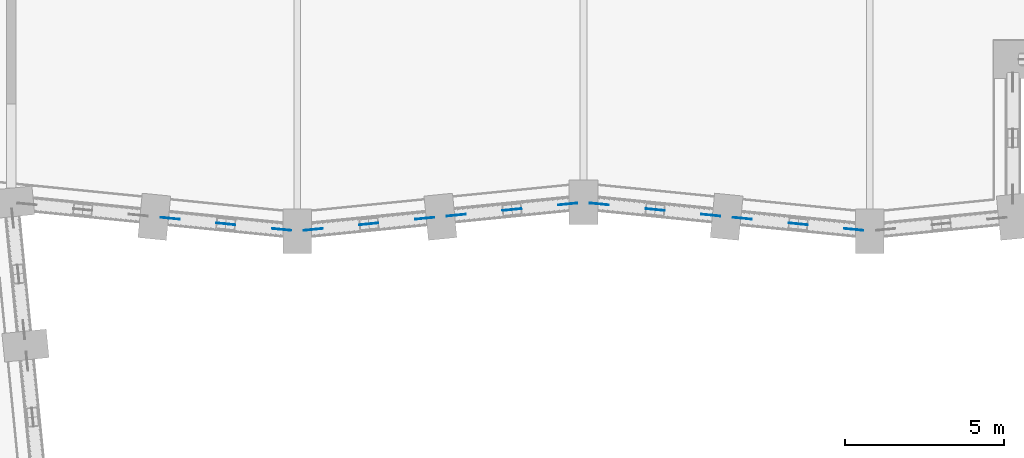
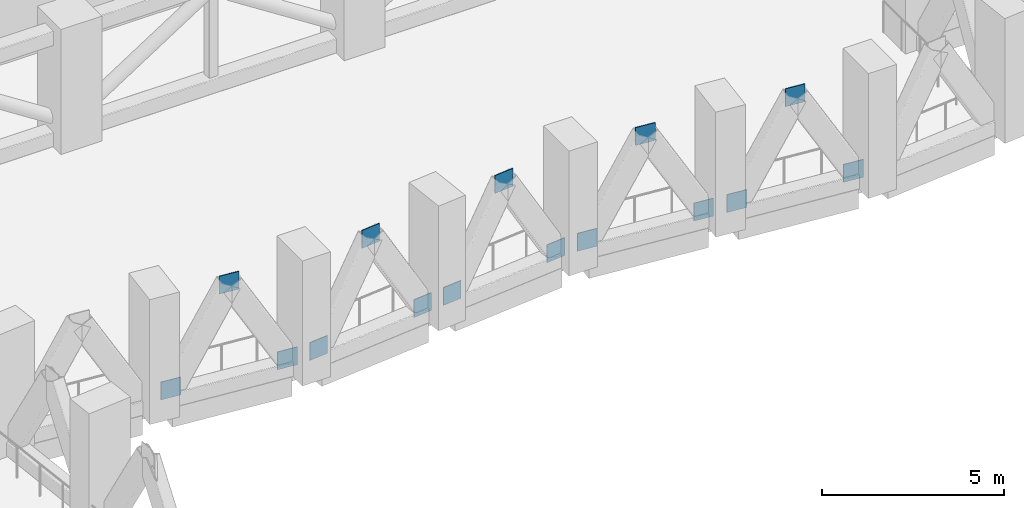
# One storey, part 19 of 25: 15 discrete accessories.
"""IFC4 building model written with IfcOpenShell, lengths in metres."""

from ifc_helpers import new_model, si_unit, direction, frame, origin, origin_2d, place, context, subcontext, project, spatial, rectangle, extrude, material, layer, layer_set, type_object, element, save


model = new_model("IFC4")

# Units and contexts
model_context = context("Model", 3, precision=1e-05, world=origin(), true_north=direction((0.0, 1.0)))
body_context = subcontext(model_context, "Body", "Model", "MODEL_VIEW")
ifc_project = project(units=[si_unit("LENGTHUNIT", "METRE"), si_unit("AREAUNIT", "SQUARE_METRE"), si_unit("VOLUMEUNIT", "CUBIC_METRE"), si_unit("PLANEANGLEUNIT", "RADIAN"), si_unit("MASSUNIT", "GRAM", prefix="KILO")], contexts=[model_context])

# Site, building, storey
site_placement = place(None, origin())
site = spatial("IfcSite", under=ifc_project, at=site_placement, CompositionType="ELEMENT")
building_placement = place(site_placement, origin())
building = spatial("IfcBuilding", under=site, at=building_placement, Name="Brondeck Convention Tower", CompositionType="ELEMENT")
storey_placement = place(building_placement, frame((0.0, 0.0, 84.300048828125)))
storey = spatial("IfcBuildingStorey", under=building, at=storey_placement, Name="L19", CompositionType="ELEMENT", Elevation=84.300048828125)

# Discrete accessories
ifc_material = material(Name="Steel S460", Category="steel")
ifc_layer = layer(ifc_material, 0.02490234375)
ifc_layer_set = layer_set([ifc_layer], Name="Gusset plate 600x600x25 Steel S460")
discrete_accessory_type = type_object("IfcDiscreteAccessoryType", Name="Gusset plate 600x600x25 Steel S460", PredefinedType="BRACKET", material=ifc_layer_set)
for number, where, z_axis, x_axis, name in (
    (1, (40.997802734375, 26.500244140625, 0.199951171875), (0.0, 0.0, 1.0), (-0.9950364836, 0.099510784867, 0.0), "Gusset plate GP-176"),
    (2, (42.75, 26.324951171875, 3.25), (0.0, 0.0, 1.0), (-0.9950364836, 0.099510784867, 0.0), "Gusset plate GP-177"),
    (3, (44.502197265625, 26.14990234375, 0.199951171875), (0.0, 0.0, 1.0), (-0.9950364836, 0.099510784867, 0.0), "Gusset plate GP-178"),
    (4, (45.497802734375, 26.14990234375, 0.199951171875), (0.0, 0.0, 1.0), (0.9950364836, 0.099510784867, 0.0), "Gusset plate GP-179"),
    (5, (47.25, 26.324951171875, 3.25), (0.0, 0.0, 1.0), (0.9950364836, 0.099510784867, 0.0), "Gusset plate GP-180"),
    (6, (49.002197265625, 26.500244140625, 0.199951171875), (0.0, 0.0, 1.0), (0.9950364836, 0.099510784867, 0.0), "Gusset plate GP-181"),
    (7, (49.997802734375, 26.599853515625, 0.199951171875), (0.0, 0.0, 1.0), (0.9950364836, 0.099510784867, 0.0), "Gusset plate GP-182"),
    (8, (51.75, 26.77490234375, 3.25), (0.0, 0.0, 1.0), (0.9950364836, 0.099510784867, 0.0), "Gusset plate GP-183"),
    (9, (53.502197265625, 26.9501953125, 0.199951171875), (0.0, 0.0, 1.0), (0.9950364836, 0.099510784867, 0.0), "Gusset plate GP-184"),
    (10, (54.497802734375, 26.9501953125, 0.199951171875), (0.0, 0.0, 1.0), (-0.9950364836, 0.099510784867, 0.0), "Gusset plate GP-185"),
    (11, (56.25, 26.77490234375, 3.25), (0.0, 0.0, 1.0), (-0.9950364836, 0.099510784867, 0.0), "Gusset plate GP-186"),
    (12, (58.002197265625, 26.599853515625, 0.199951171875), (0.0, 0.0, 1.0), (-0.9950364836, 0.099510784867, 0.0), "Gusset plate GP-187"),
    (13, (58.997802734375, 26.500244140625, 0.199951171875), (0.0, 0.0, 1.0), (-0.9950364836, 0.099510784867, 0.0), "Gusset plate GP-188"),
    (14, (60.75, 26.324951171875, 3.25), (0.0, 0.0, 1.0), (-0.9950364836, 0.099510784867, 0.0), "Gusset plate GP-189"),
    (15, (62.502197265625, 26.14990234375, 0.199951171875), (0.0, 0.0, 1.0), (-0.9950364836, 0.099510784867, 0.0), "Gusset plate GP-190"),
):
    element("IfcDiscreteAccessory", number, at=place(storey_placement, frame(where, z_axis=z_axis, x_axis=x_axis)), inside=storey, type_object=discrete_accessory_type, Name=name, PredefinedType="BRACKET", context=body_context, shape_type="SweptSolid", body=[
        extrude(rectangle(XDim=0.60009765625, YDim=0.02490234375, at=origin_2d()), origin(), (0.0, 0.0, 1.0), 0.60009765625),
    ])

save(model, "model.ifc")
